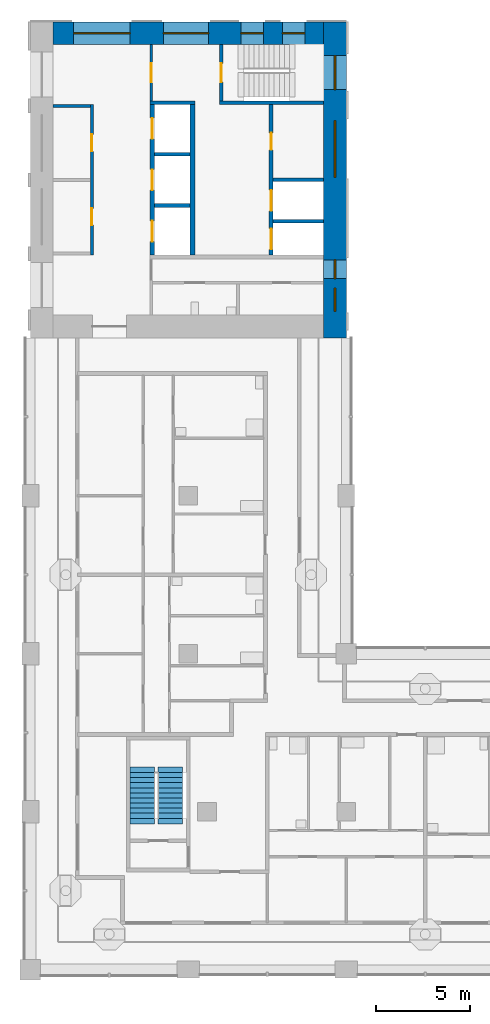
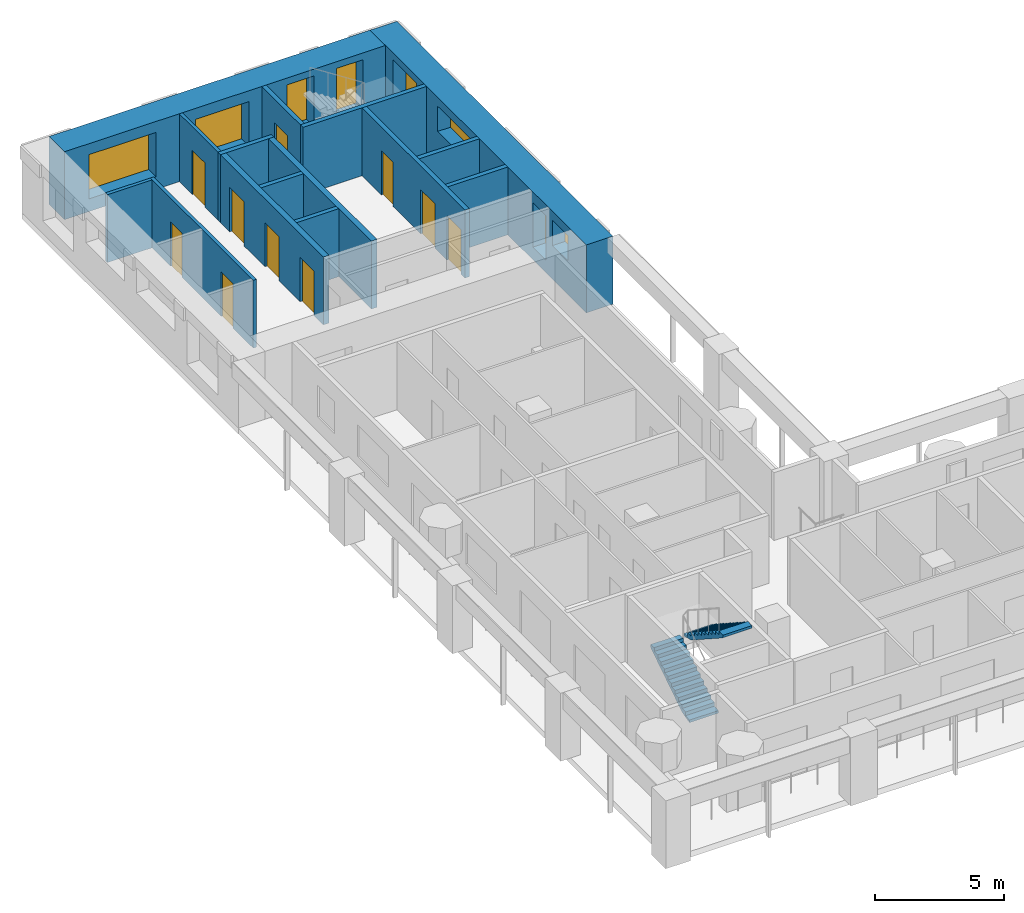
# One storey, part 6 of 13: 15 walls, 10 doors, 8 windows, 2 stair flights, 18 openings, 1 element without a shape of its own.
"""IFC4 building model written with IfcOpenShell, lengths in metres."""

from ifc_helpers import new_model, si_unit, direction, frame, frame_2d, origin, place, context, subcontext, project, spatial, polyline, rectangle, outline, extrude, material, layer, layer_set, type_object, element, fill, aggregate, save


model = new_model("IFC4")

# Units and contexts
model_context = context("Model", 3, precision=1e-05, world=origin(), true_north=direction((0.0, 1.0)))
body_context = subcontext(model_context, "Body", "Model", "MODEL_VIEW")
ifc_project = project(units=[si_unit("LENGTHUNIT", "METRE"), si_unit("AREAUNIT", "SQUARE_METRE"), si_unit("VOLUMEUNIT", "CUBIC_METRE"), si_unit("PLANEANGLEUNIT", "RADIAN"), si_unit("MASSUNIT", "GRAM", prefix="KILO")], contexts=[model_context])

# Site, building, storey
site_placement = place(None, origin())
site = spatial("IfcSite", under=ifc_project, at=site_placement, CompositionType="ELEMENT")
building_placement = place(site_placement, origin())
building = spatial("IfcBuilding", under=site, at=building_placement, Name="Vermilion Gate Residences", CompositionType="ELEMENT")
storey_placement = place(building_placement, frame((0.0, 0.0, 186.199951171875)))
storey = spatial("IfcBuildingStorey", under=building, at=storey_placement, Name="L48", CompositionType="ELEMENT", Elevation=186.199951171875)

# Wall
ifc_material_1 = material(Name="Masonry blockwork", Category="masonry")
ifc_layer_1 = layer(ifc_material_1, 0.14990234375)
ifc_layer_set_1 = layer_set([ifc_layer_1], Name="BLOCKWORK PARTITION 150 EI 120")
wall_type_1 = type_object("IfcWallType", Name="BLOCKWORK PARTITION 150 EI 120", PredefinedType="PARTITIONING", material=ifc_layer_set_1)
wall_1_placement = place(storey_placement, frame((9.60009765625, 54.324951171875, 0.0), z_axis=(0.0, 0.0, 1.0), x_axis=(1.0, 0.0, 0.0)))
element("IfcWall", 1, at=wall_1_placement, inside=storey, type_object=wall_type_1, Name="Core room partition B48-RW-W", PredefinedType="PARTITIONING", context=body_context, shape_type="SweptSolid", body=[
    extrude(rectangle(XDim=2.0, YDim=0.14990234375, at=frame_2d((1.0, 0.0))), origin(), (0.0, 0.0, 1.0), 3.219970703125),
])

# Wall, openings, doors
wall_2_placement = place(storey_placement, frame((11.675048828125, 54.39990234375, 0.0), z_axis=(0.0, 0.0, 1.0), x_axis=(0.0, -1.0, 0.0)))
wall_2 = element("IfcWall", 2, at=wall_2_placement, inside=storey, type_object=wall_type_1, Name="Core room partition B48-LR-F", PredefinedType="PARTITIONING", context=body_context, shape_type="SweptSolid", body=[
    extrude(rectangle(XDim=8.0, YDim=0.14990234375, at=frame_2d((4.0, 0.0))), origin(), (0.0, 0.0, 1.0), 3.219970703125),
])
opening_1_placement = place(wall_2_placement, frame((1.58740234375, 0.0, 0.0)))
opening_1 = element("IfcOpeningElement", 3, at=opening_1_placement, cuts=wall_2, Name="Opening DK48102", PredefinedType="OPENING", context=body_context, shape_type="SweptSolid", body=[
    extrude(rectangle(XDim=0.89990234375, YDim=2.10009765625, at=frame_2d((0.449951171875, 1.050048828125))), frame((0.0, 0.0849609375, 0.0), z_axis=(0.0, -1.0, 0.0), x_axis=(1.0, 0.0, 0.0)), (0.0, 0.0, 1.0), 0.169921875),
])
opening_2_placement = place(wall_2_placement, frame((5.512451171875, 0.0, 0.0)))
opening_2 = element("IfcOpeningElement", 4, at=opening_2_placement, cuts=wall_2, Name="Opening DK48103", PredefinedType="OPENING", context=body_context, shape_type="SweptSolid", body=[
    extrude(rectangle(XDim=0.89990234375, YDim=2.10009765625, at=frame_2d((0.449951171875, 1.050048828125))), frame((0.0, 0.0849609375, 0.0), z_axis=(0.0, -1.0, 0.0), x_axis=(1.0, 0.0, 0.0)), (0.0, 0.0, 1.0), 0.169921875),
])
ifc_material_2 = material(Name="Steel", Category="steel")
door_type_1 = type_object("IfcDoorType", Name="SERVICE ROOM DOOR FD60 900 X 2100", OperationType="SINGLE_SWING_LEFT", PredefinedType="DOOR", material=ifc_material_2)
door_1_placement = place(opening_1_placement, frame((0.89990234375, 0.0, 0.0), z_axis=(0.0, 0.0, 1.0), x_axis=(-1.0, 0.0, 0.0)))
door_1 = element("IfcDoor", 5, at=door_1_placement, inside=storey, type_object=door_type_1, Name="Mail room B48", OperationType="SINGLE_SWING_RIGHT", OverallHeight=2.10009765625, OverallWidth=0.89990234375, PredefinedType="DOOR", context=body_context, shape_type="SweptSolid", body=[
    extrude(rectangle(XDim=0.89990234375, YDim=2.10009765625, at=frame_2d((0.449951171875, 1.050048828125))), frame((0.0, 0.02490234375, 0.0), z_axis=(0.0, -1.0, 0.0), x_axis=(1.0, 0.0, 0.0)), (0.0, 0.0, 1.0), 0.050048828125),
])
fill(opening_1, door_1)
door_2_placement = place(opening_2_placement, frame((0.89990234375, 0.0, 0.0), z_axis=(0.0, 0.0, 1.0), x_axis=(-1.0, 0.0, 0.0)))
door_2 = element("IfcDoor", 6, at=door_2_placement, inside=storey, type_object=door_type_1, Name="Cleaner's store B48", OperationType="SINGLE_SWING_LEFT", OverallHeight=2.10009765625, OverallWidth=0.89990234375, PredefinedType="DOOR", context=body_context, shape_type="SweptSolid", body=[
    extrude(rectangle(XDim=0.89990234375, YDim=2.10009765625, at=frame_2d((0.449951171875, 1.050048828125))), frame((0.0, 0.02490234375, 0.0), z_axis=(0.0, -1.0, 0.0), x_axis=(1.0, 0.0, 0.0)), (0.0, 0.0, 1.0), 0.050048828125),
])
fill(opening_2, door_2)

# Wall, opening, door
wall_3_placement = place(storey_placement, frame((14.824951171875, 57.60009765625, 0.0), z_axis=(0.0, 0.0, 1.0), x_axis=(0.0, -1.0, 0.0)))
wall_3 = element("IfcWall", 7, at=wall_3_placement, inside=storey, type_object=wall_type_1, Name="Core room partition B48-VW-S", PredefinedType="PARTITIONING", context=body_context, shape_type="SweptSolid", body=[
    extrude(rectangle(XDim=3.0, YDim=0.14990234375, at=frame_2d((1.5, 0.0))), origin(), (0.0, 0.0, 1.0), 3.219970703125),
])
opening_3_placement = place(wall_3_placement, frame((1.0, 0.0, 0.0)))
opening_3 = element("IfcOpeningElement", 8, at=opening_3_placement, cuts=wall_3, Name="Opening DK48110", PredefinedType="OPENING", context=body_context, shape_type="SweptSolid", body=[
    extrude(rectangle(XDim=1.0, YDim=2.10009765625, at=frame_2d((0.5, 1.050048828125))), frame((0.0, 0.0849609375, 0.0), z_axis=(0.0, -1.0, 0.0), x_axis=(1.0, 0.0, 0.0)), (0.0, 0.0, 1.0), 0.169921875),
])
ifc_material_3 = material(Name="Steel", Category="steel")
door_type_2 = type_object("IfcDoorType", Name="FIRE DOOR FD60 1000 X 2100", OperationType="SINGLE_SWING_LEFT", PredefinedType="DOOR", material=ifc_material_3)
door_3_placement = place(opening_3_placement, frame((1.0, 0.0, 0.0), z_axis=(0.0, 0.0, 1.0), x_axis=(-1.0, 0.0, 0.0)))
door_3 = element("IfcDoor", 9, at=door_3_placement, inside=storey, type_object=door_type_2, Name="Stair vestibule door B48", OperationType="SINGLE_SWING_RIGHT", OverallHeight=2.10009765625, OverallWidth=1.0, PredefinedType="DOOR", context=body_context, shape_type="SweptSolid", body=[
    extrude(rectangle(XDim=1.0, YDim=2.10009765625, at=frame_2d((0.5, 1.050048828125))), frame((0.0, 0.02490234375, 0.0), z_axis=(0.0, -1.0, 0.0), x_axis=(1.0, 0.0, 0.0)), (0.0, 0.0, 1.0), 0.050048828125),
])
fill(opening_3, door_3)

# Walls
ifc_material_4 = material(Name="Concrete C60", Category="concrete")
ifc_layer_2 = layer(ifc_material_4, 0.199951171875)
ifc_layer_set_2 = layer_set([ifc_layer_2], Name="RC CORE INTERNAL WALL 200 C60")
wall_type_2 = type_object("IfcWallType", Name="RC CORE INTERNAL WALL 200 C60", PredefinedType="SHEAR", material=ifc_layer_set_2)
for number, where, z_axis, x_axis, name in (
    (10, (15.0, 51.7666015625, 0.0), (0.0, 0.0, 1.0), (1.0, 0.0, 0.0), "Core internal wall B48-HR-D1"),
    (11, (15.0, 49.033447265625, 0.0), (0.0, 0.0, 1.0), (1.0, 0.0, 0.0), "Core internal wall B48-HR-D2"),
):
    element("IfcWall", number, at=place(storey_placement, frame(where, z_axis=z_axis, x_axis=x_axis)), inside=storey, type_object=wall_type_2, Name=name, PredefinedType="SHEAR", context=body_context, shape_type="SweptSolid", body=[
        extrude(rectangle(XDim=1.89990234375, YDim=0.199951171875, at=frame_2d((0.949951171875, 0.0))), origin(), (0.0, 0.0, 1.0), 3.219970703125),
    ])
for number, where, z_axis, x_axis, name in (
    (12, (21.300048828125, 50.39990234375, 0.0), (0.0, 0.0, 1.0), (1.0, 0.0, 0.0), "Core internal wall B48-FF-D0"),
    (13, (21.300048828125, 48.199951171875, 0.0), (0.0, 0.0, 1.0), (1.0, 0.0, 0.0), "Core internal wall B48-FF-D1"),
):
    element("IfcWall", number, at=place(storey_placement, frame(where, z_axis=z_axis, x_axis=x_axis)), inside=storey, type_object=wall_type_2, Name=name, PredefinedType="SHEAR", context=body_context, shape_type="SweptSolid", body=[
        extrude(rectangle(XDim=2.699951171875, YDim=0.199951171875, at=frame_2d((1.35009765625, 0.0))), origin(), (0.0, 0.0, 1.0), 3.219970703125),
    ])

# Wall, openings, doors
wall_4_placement = place(storey_placement, frame((21.199951171875, 54.39990234375, 0.0), z_axis=(0.0, 0.0, 1.0), x_axis=(0.0, -1.0, 0.0)))
wall_4 = element("IfcWall", 14, at=wall_4_placement, inside=storey, type_object=wall_type_2, Name="Core internal wall B48-FF-F", PredefinedType="SHEAR", context=body_context, shape_type="SweptSolid", body=[
    extrude(rectangle(XDim=8.0, YDim=0.199951171875, at=frame_2d((4.0, 0.0))), origin(), (0.0, 0.0, 1.0), 3.219970703125),
])
opening_4_placement = place(wall_4_placement, frame((1.5, 0.0, 0.0)))
opening_4 = element("IfcOpeningElement", 15, at=opening_4_placement, cuts=wall_4, Name="Opening DK48107", PredefinedType="OPENING", context=body_context, shape_type="SweptSolid", body=[
    extrude(rectangle(XDim=0.89990234375, YDim=2.10009765625, at=frame_2d((0.449951171875, 1.050048828125))), frame((0.0, 0.10986328125, 0.0), z_axis=(0.0, -1.0, 0.0), x_axis=(1.0, 0.0, 0.0)), (0.0, 0.0, 1.0), 0.219970703125),
])
opening_5_placement = place(wall_4_placement, frame((4.550048828125, 0.0, 0.0)))
opening_5 = element("IfcOpeningElement", 16, at=opening_5_placement, cuts=wall_4, Name="Opening LD", PredefinedType="OPENING", context=body_context, shape_type="SweptSolid", body=[
    extrude(rectangle(XDim=1.10009765625, YDim=2.10009765625, at=frame_2d((0.550048828125, 1.050048828125))), frame((0.0, 0.10986328125, 0.0), z_axis=(0.0, -1.0, 0.0), x_axis=(1.0, 0.0, 0.0)), (0.0, 0.0, 1.0), 0.219970703125),
])
opening_6_placement = place(wall_4_placement, frame((6.60009765625, 0.0, 0.0)))
opening_6 = element("IfcOpeningElement", 17, at=opening_6_placement, cuts=wall_4, Name="Opening LD", PredefinedType="OPENING", context=body_context, shape_type="SweptSolid", body=[
    extrude(rectangle(XDim=1.10009765625, YDim=2.10009765625, at=frame_2d((0.550048828125, 1.050048828125))), frame((0.0, 0.10986328125, 0.0), z_axis=(0.0, -1.0, 0.0), x_axis=(1.0, 0.0, 0.0)), (0.0, 0.0, 1.0), 0.219970703125),
])
ifc_material_5 = material(Name="Stainless steel", Category="steel")
door_type_3 = type_object("IfcDoorType", Name="LIFT LANDING DOOR E60 1100 X 2100", OperationType="DOUBLE_DOOR_SLIDING", PredefinedType="DOOR", material=ifc_material_5)
door_4_placement = place(opening_5_placement, origin())
door_4 = element("IfcDoor", 18, at=door_4_placement, inside=storey, type_object=door_type_3, Name="Lift landing door LFB1", OperationType="DOUBLE_DOOR_SLIDING", OverallHeight=2.10009765625, OverallWidth=1.10009765625, PredefinedType="DOOR", context=body_context, shape_type="SweptSolid", body=[
    extrude(rectangle(XDim=1.10009765625, YDim=2.10009765625, at=frame_2d((0.550048828125, 1.050048828125))), frame((0.0, 0.02490234375, 0.0), z_axis=(0.0, -1.0, 0.0), x_axis=(1.0, 0.0, 0.0)), (0.0, 0.0, 1.0), 0.050048828125),
])
fill(opening_5, door_4)
door_5_placement = place(opening_6_placement, origin())
door_5 = element("IfcDoor", 19, at=door_5_placement, inside=storey, type_object=door_type_3, Name="Lift landing door LCB1", OperationType="DOUBLE_DOOR_SLIDING", OverallHeight=2.10009765625, OverallWidth=1.10009765625, PredefinedType="DOOR", context=body_context, shape_type="SweptSolid", body=[
    extrude(rectangle(XDim=1.10009765625, YDim=2.10009765625, at=frame_2d((0.550048828125, 1.050048828125))), frame((0.0, 0.02490234375, 0.0), z_axis=(0.0, -1.0, 0.0), x_axis=(1.0, 0.0, 0.0)), (0.0, 0.0, 1.0), 0.050048828125),
])
fill(opening_6, door_5)
door_6_placement = place(opening_4_placement, origin())
door_6 = element("IfcDoor", 20, at=door_6_placement, inside=storey, type_object=door_type_1, Name="Housekeeping store B48", OperationType="SINGLE_SWING_LEFT", OverallHeight=2.10009765625, OverallWidth=0.89990234375, PredefinedType="DOOR", context=body_context, shape_type="SweptSolid", body=[
    extrude(rectangle(XDim=0.89990234375, YDim=2.10009765625, at=frame_2d((0.449951171875, 1.050048828125))), frame((0.0, 0.02490234375, 0.0), z_axis=(0.0, -1.0, 0.0), x_axis=(1.0, 0.0, 0.0)), (0.0, 0.0, 1.0), 0.050048828125),
])
fill(opening_4, door_6)

# Walls
wall_5_placement = place(storey_placement, frame((14.75, 54.5, 0.0), z_axis=(0.0, 0.0, 1.0), x_axis=(1.0, 0.0, 0.0)))
element("IfcWall", 21, at=wall_5_placement, inside=storey, type_object=wall_type_2, Name="Core internal wall B48-WDIV1", PredefinedType="SHEAR", context=body_context, shape_type="SweptSolid", body=[
    extrude(rectangle(XDim=2.39990234375, YDim=0.199951171875, at=frame_2d((1.199951171875, 0.0))), origin(), (0.0, 0.0, 1.0), 3.219970703125),
])
wall_6_placement = place(storey_placement, frame((18.449951171875, 54.5, 0.0), z_axis=(0.0, 0.0, 1.0), x_axis=(1.0, 0.0, 0.0)))
element("IfcWall", 22, at=wall_6_placement, inside=storey, type_object=wall_type_2, Name="Core internal wall B48-WDIV2", PredefinedType="SHEAR", context=body_context, shape_type="SweptSolid", body=[
    extrude(rectangle(XDim=5.550048828125, YDim=0.199951171875, at=frame_2d((2.77490234375, 0.0))), origin(), (0.0, 0.0, 1.0), 3.219970703125),
])

# Wall, opening, door
wall_7_placement = place(storey_placement, frame((18.550048828125, 57.60009765625, 0.0), z_axis=(0.0, 0.0, 1.0), x_axis=(0.0, -1.0, 0.0)))
wall_7 = element("IfcWall", 23, at=wall_7_placement, inside=storey, type_object=wall_type_2, Name="Core internal wall B48-STW-S", PredefinedType="SHEAR", context=body_context, shape_type="SweptSolid", body=[
    extrude(rectangle(XDim=3.0, YDim=0.199951171875, at=frame_2d((1.5, 0.0))), origin(), (0.0, 0.0, 1.0), 3.219970703125),
])
opening_7_placement = place(wall_7_placement, frame((1.0, 0.0, 0.0)))
opening_7 = element("IfcOpeningElement", 24, at=opening_7_placement, cuts=wall_7, Name="Opening DK48111", PredefinedType="OPENING", context=body_context, shape_type="SweptSolid", body=[
    extrude(rectangle(XDim=1.0, YDim=2.10009765625, at=frame_2d((0.5, 1.050048828125))), frame((0.0, 0.10986328125, 0.0), z_axis=(0.0, -1.0, 0.0), x_axis=(1.0, 0.0, 0.0)), (0.0, 0.0, 1.0), 0.219970703125),
])
door_7_placement = place(opening_7_placement, origin())
door_7 = element("IfcDoor", 25, at=door_7_placement, inside=storey, type_object=door_type_2, Name="Stair door B48", OperationType="SINGLE_SWING_LEFT", OverallHeight=2.10009765625, OverallWidth=1.0, PredefinedType="DOOR", context=body_context, shape_type="SweptSolid", body=[
    extrude(rectangle(XDim=1.0, YDim=2.10009765625, at=frame_2d((0.5, 1.050048828125))), frame((0.0, 0.02490234375, 0.0), z_axis=(0.0, -1.0, 0.0), x_axis=(1.0, 0.0, 0.0)), (0.0, 0.0, 1.0), 0.050048828125),
])
fill(opening_7, door_7)

# Wall, openings, windows
ifc_material_6 = material(Name="Concrete C60 red-oxide pigmented", Category="concrete")
ifc_layer_3 = layer(ifc_material_6, 1.199951171875)
ifc_layer_set_3 = layer_set([ifc_layer_3], Name="RC CORE WALL 1200 C60 RED OXIDE")
wall_type_3 = type_object("IfcWallType", Name="RC CORE WALL 1200 C60 RED OXIDE", PredefinedType="SHEAR", material=ifc_layer_set_3)
wall_8_placement = place(storey_placement, frame((24.60009765625, 58.800048828125, 0.0), z_axis=(0.0, 0.0, 1.0), x_axis=(0.0, -1.0, 0.0)))
wall_8 = element("IfcWall", 26, at=wall_8_placement, inside=storey, type_object=wall_type_3, Name="Core wall B48-OUT-B1", PredefinedType="SHEAR", context=body_context, shape_type="SweptSolid", body=[
    extrude(rectangle(XDim=16.800048828125, YDim=1.199951171875, at=frame_2d((8.39990234375, 0.0))), origin(), (0.0, 0.0, 1.0), 3.219970703125),
])
opening_8_placement = place(wall_8_placement, frame((1.800048828125, 0.0, 0.5)))
opening_8 = element("IfcOpeningElement", 27, at=opening_8_placement, cuts=wall_8, Name="Opening WKB4805", PredefinedType="OPENING", context=body_context, shape_type="SweptSolid", body=[
    extrude(rectangle(XDim=1.800048828125, YDim=2.39990234375, at=frame_2d((0.89990234375, 1.199951171875))), frame((0.0, 0.60986328125, 0.0), z_axis=(0.0, -1.0, 0.0), x_axis=(1.0, 0.0, 0.0)), (0.0, 0.0, 1.0), 1.219970703125),
])
opening_9_placement = place(wall_8_placement, frame((5.25, 0.0, 1.60009765625)))
opening_9 = element("IfcOpeningElement", 28, at=opening_9_placement, cuts=wall_8, Name="Opening WKB4806", PredefinedType="OPENING", context=body_context, shape_type="SweptSolid", body=[
    extrude(rectangle(XDim=3.0, YDim=1.199951171875, at=frame_2d((1.5, 0.60009765625))), frame((0.0, 0.60986328125, 0.0), z_axis=(0.0, -1.0, 0.0), x_axis=(1.0, 0.0, 0.0)), (0.0, 0.0, 1.0), 1.219970703125),
])
opening_10_placement = place(wall_8_placement, frame((12.64990234375, 0.0, 0.60009765625)))
opening_10 = element("IfcOpeningElement", 29, at=opening_10_placement, cuts=wall_8, Name="Opening WKB4807", PredefinedType="OPENING", context=body_context, shape_type="SweptSolid", body=[
    extrude(rectangle(XDim=1.0, YDim=2.10009765625, at=frame_2d((0.5, 1.050048828125))), frame((0.0, 0.60986328125, 0.0), z_axis=(0.0, -1.0, 0.0), x_axis=(1.0, 0.0, 0.0)), (0.0, 0.0, 1.0), 1.219970703125),
])
opening_11_placement = place(wall_8_placement, frame((14.175048828125, 0.0, 1.60009765625)))
opening_11 = element("IfcOpeningElement", 30, at=opening_11_placement, cuts=wall_8, Name="Opening WKB4808", PredefinedType="OPENING", context=body_context, shape_type="SweptSolid", body=[
    extrude(rectangle(XDim=1.199951171875, YDim=1.199951171875, at=frame_2d((0.60009765625, 0.60009765625))), frame((0.0, 0.60986328125, 0.0), z_axis=(0.0, -1.0, 0.0), x_axis=(1.0, 0.0, 0.0)), (0.0, 0.0, 1.0), 1.219970703125),
])
ifc_material_7 = material(Name="Aluminium and clear glass", Category="aluminium")
window_type_1 = type_object("IfcWindowType", Name="CORE CORRIDOR WINDOW 1000 X 2100", PartitioningType="SINGLE_PANEL", PredefinedType="WINDOW", material=ifc_material_7)
window_1_placement = place(opening_10_placement, origin())
window_1 = element("IfcWindow", 31, at=window_1_placement, inside=storey, type_object=window_type_1, Name="Core corridor window", OverallHeight=2.10009765625, OverallWidth=1.0, PartitioningType="SINGLE_PANEL", PredefinedType="WINDOW", context=body_context, shape_type="SweptSolid", body=[
    extrude(rectangle(XDim=1.0, YDim=2.10009765625, at=frame_2d((0.5, 1.050048828125))), frame((0.0, 0.030029296875, 0.0), z_axis=(0.0, -1.0, 0.0), x_axis=(1.0, 0.0, 0.0)), (0.0, 0.0, 1.0), 0.06005859375),
])
fill(opening_10, window_1)
ifc_material_8 = material(Name="Aluminium frame with louvre blades", Category="aluminium")
window_type_2 = type_object("IfcWindowType", Name="CORE LOUVRE 1200 X 1200", PartitioningType="SINGLE_PANEL", PredefinedType="WINDOW", material=ifc_material_8)
window_2_placement = place(opening_11_placement, origin())
window_2 = element("IfcWindow", 32, at=window_2_placement, inside=storey, type_object=window_type_2, Name="Core louvre", OverallHeight=1.199951171875, OverallWidth=1.199951171875, PartitioningType="SINGLE_PANEL", PredefinedType="WINDOW", context=body_context, shape_type="SweptSolid", body=[
    extrude(rectangle(XDim=1.199951171875, YDim=1.199951171875, at=frame_2d((0.60009765625, 0.60009765625))), frame((0.0, 0.030029296875, 0.0), z_axis=(0.0, -1.0, 0.0), x_axis=(1.0, 0.0, 0.0)), (0.0, 0.0, 1.0), 0.06005859375),
])
fill(opening_11, window_2)
ifc_material_9 = material(Name="Aluminium frame with louvre blades", Category="aluminium")
window_type_3 = type_object("IfcWindowType", Name="CORE LOUVRE 3000 X 1200", PartitioningType="SINGLE_PANEL", PredefinedType="WINDOW", material=ifc_material_9)
window_3_placement = place(opening_9_placement, origin())
window_3 = element("IfcWindow", 33, at=window_3_placement, inside=storey, type_object=window_type_3, Name="Core louvre", OverallHeight=1.199951171875, OverallWidth=3.0, PartitioningType="SINGLE_PANEL", PredefinedType="WINDOW", context=body_context, shape_type="SweptSolid", body=[
    extrude(rectangle(XDim=3.0, YDim=1.199951171875, at=frame_2d((1.5, 0.60009765625))), frame((0.0, 0.030029296875, 0.0), z_axis=(0.0, -1.0, 0.0), x_axis=(1.0, 0.0, 0.0)), (0.0, 0.0, 1.0), 0.06005859375),
])
fill(opening_9, window_3)
ifc_material_10 = material(Name="Aluminium and clear glass", Category="aluminium")
window_type_4 = type_object("IfcWindowType", Name="CORE STAIR WINDOW 1800 X 2400", PartitioningType="SINGLE_PANEL", PredefinedType="WINDOW", material=ifc_material_10)
window_4_placement = place(opening_8_placement, origin())
window_4 = element("IfcWindow", 34, at=window_4_placement, inside=storey, type_object=window_type_4, Name="Core stair window", OverallHeight=2.39990234375, OverallWidth=1.800048828125, PartitioningType="SINGLE_PANEL", PredefinedType="WINDOW", context=body_context, shape_type="SweptSolid", body=[
    extrude(rectangle(XDim=1.800048828125, YDim=2.39990234375, at=frame_2d((0.89990234375, 1.199951171875))), frame((0.0, 0.030029296875, 0.0), z_axis=(0.0, -1.0, 0.0), x_axis=(1.0, 0.0, 0.0)), (0.0, 0.0, 1.0), 0.06005859375),
])
fill(opening_8, window_4)

wall_9_placement = place(storey_placement, frame((9.60009765625, 58.199951171875, 0.0), z_axis=(0.0, 0.0, 1.0), x_axis=(1.0, 0.0, 0.0)))
wall_9 = element("IfcWall", 35, at=wall_9_placement, inside=storey, type_object=wall_type_3, Name="Core wall B48-OUT-FR", PredefinedType="SHEAR", context=body_context, shape_type="SweptSolid", body=[
    extrude(rectangle(XDim=14.39990234375, YDim=1.199951171875, at=frame_2d((7.199951171875, 0.0))), origin(), (0.0, 0.0, 1.0), 3.219970703125),
])
opening_12_placement = place(wall_9_placement, frame((1.10498046875, 0.0, 0.60009765625)))
opening_12 = element("IfcOpeningElement", 36, at=opening_12_placement, cuts=wall_9, Name="Opening WKB4809", PredefinedType="OPENING", context=body_context, shape_type="SweptSolid", body=[
    extrude(rectangle(XDim=3.0, YDim=2.10009765625, at=frame_2d((1.5, 1.050048828125))), frame((0.0, 0.60986328125, 0.0), z_axis=(0.0, -1.0, 0.0), x_axis=(1.0, 0.0, 0.0)), (0.0, 0.0, 1.0), 1.219970703125),
])
opening_13_placement = place(wall_9_placement, frame((5.875, 0.0, 0.60009765625)))
opening_13 = element("IfcOpeningElement", 37, at=opening_13_placement, cuts=wall_9, Name="Opening WKB4810", PredefinedType="OPENING", context=body_context, shape_type="SweptSolid", body=[
    extrude(rectangle(XDim=2.39990234375, YDim=2.10009765625, at=frame_2d((1.199951171875, 1.050048828125))), frame((0.0, 0.60986328125, 0.0), z_axis=(0.0, -1.0, 0.0), x_axis=(1.0, 0.0, 0.0)), (0.0, 0.0, 1.0), 1.219970703125),
])
opening_14_placement = place(wall_9_placement, frame((9.993408203125, 0.0, 0.5)))
opening_14 = element("IfcOpeningElement", 38, at=opening_14_placement, cuts=wall_9, Name="Opening WKB4811", PredefinedType="OPENING", context=body_context, shape_type="SweptSolid", body=[
    extrude(rectangle(XDim=1.199951171875, YDim=2.39990234375, at=frame_2d((0.60009765625, 1.199951171875))), frame((0.0, 0.60986328125, 0.0), z_axis=(0.0, -1.0, 0.0), x_axis=(1.0, 0.0, 0.0)), (0.0, 0.0, 1.0), 1.219970703125),
])
opening_15_placement = place(wall_9_placement, frame((12.19677734375, 0.0, 0.5)))
opening_15 = element("IfcOpeningElement", 39, at=opening_15_placement, cuts=wall_9, Name="Opening WKB4812", PredefinedType="OPENING", context=body_context, shape_type="SweptSolid", body=[
    extrude(rectangle(XDim=1.199951171875, YDim=2.39990234375, at=frame_2d((0.60009765625, 1.199951171875))), frame((0.0, 0.60986328125, 0.0), z_axis=(0.0, -1.0, 0.0), x_axis=(1.0, 0.0, 0.0)), (0.0, 0.0, 1.0), 1.219970703125),
])
ifc_material_11 = material(Name="Aluminium and clear glass", Category="aluminium")
window_type_5 = type_object("IfcWindowType", Name="CORE LOBBY WINDOW 2400 X 2100", PartitioningType="SINGLE_PANEL", PredefinedType="WINDOW", material=ifc_material_11)
window_5_placement = place(opening_13_placement, origin())
window_5 = element("IfcWindow", 40, at=window_5_placement, inside=storey, type_object=window_type_5, Name="Core lobby window", OverallHeight=2.10009765625, OverallWidth=2.39990234375, PartitioningType="SINGLE_PANEL", PredefinedType="WINDOW", context=body_context, shape_type="SweptSolid", body=[
    extrude(rectangle(XDim=2.39990234375, YDim=2.10009765625, at=frame_2d((1.199951171875, 1.050048828125))), frame((0.0, 0.030029296875, 0.0), z_axis=(0.0, -1.0, 0.0), x_axis=(1.0, 0.0, 0.0)), (0.0, 0.0, 1.0), 0.06005859375),
])
fill(opening_13, window_5)
ifc_material_12 = material(Name="Aluminium and clear glass", Category="aluminium")
window_type_6 = type_object("IfcWindowType", Name="CORE LOBBY WINDOW 3000 X 2100", PartitioningType="SINGLE_PANEL", PredefinedType="WINDOW", material=ifc_material_12)
window_6_placement = place(opening_12_placement, origin())
window_6 = element("IfcWindow", 41, at=window_6_placement, inside=storey, type_object=window_type_6, Name="Core lobby window", OverallHeight=2.10009765625, OverallWidth=3.0, PartitioningType="SINGLE_PANEL", PredefinedType="WINDOW", context=body_context, shape_type="SweptSolid", body=[
    extrude(rectangle(XDim=3.0, YDim=2.10009765625, at=frame_2d((1.5, 1.050048828125))), frame((0.0, 0.030029296875, 0.0), z_axis=(0.0, -1.0, 0.0), x_axis=(1.0, 0.0, 0.0)), (0.0, 0.0, 1.0), 0.06005859375),
])
fill(opening_12, window_6)
ifc_material_13 = material(Name="Aluminium and clear glass", Category="aluminium")
window_type_7 = type_object("IfcWindowType", Name="CORE STAIR WINDOW 1200 X 2400", PartitioningType="SINGLE_PANEL", PredefinedType="WINDOW", material=ifc_material_13)
window_7_placement = place(opening_14_placement, origin())
window_7 = element("IfcWindow", 42, at=window_7_placement, inside=storey, type_object=window_type_7, Name="Core stair window", OverallHeight=2.39990234375, OverallWidth=1.199951171875, PartitioningType="SINGLE_PANEL", PredefinedType="WINDOW", context=body_context, shape_type="SweptSolid", body=[
    extrude(rectangle(XDim=1.199951171875, YDim=2.39990234375, at=frame_2d((0.60009765625, 1.199951171875))), frame((0.0, 0.030029296875, 0.0), z_axis=(0.0, -1.0, 0.0), x_axis=(1.0, 0.0, 0.0)), (0.0, 0.0, 1.0), 0.06005859375),
])
fill(opening_14, window_7)
window_8_placement = place(opening_15_placement, origin())
window_8 = element("IfcWindow", 43, at=window_8_placement, inside=storey, type_object=window_type_7, Name="Core stair window", OverallHeight=2.39990234375, OverallWidth=1.199951171875, PartitioningType="SINGLE_PANEL", PredefinedType="WINDOW", context=body_context, shape_type="SweptSolid", body=[
    extrude(rectangle(XDim=1.199951171875, YDim=2.39990234375, at=frame_2d((0.60009765625, 1.199951171875))), frame((0.0, 0.030029296875, 0.0), z_axis=(0.0, -1.0, 0.0), x_axis=(1.0, 0.0, 0.0)), (0.0, 0.0, 1.0), 0.06005859375),
])
fill(opening_15, window_8)

# Wall, openings, doors
ifc_material_14 = material(Name="Concrete C60", Category="concrete")
ifc_layer_4 = layer(ifc_material_14, 0.25)
ifc_layer_set_4 = layer_set([ifc_layer_4], Name="RC LIFT SHAFT WALL 250 C60")
wall_type_4 = type_object("IfcWallType", Name="RC LIFT SHAFT WALL 250 C60", PredefinedType="SHEAR", material=ifc_layer_set_4)
wall_10_placement = place(storey_placement, frame((14.875, 54.39990234375, 0.0), z_axis=(0.0, 0.0, 1.0), x_axis=(0.0, -1.0, 0.0)))
wall_10 = element("IfcWall", 44, at=wall_10_placement, inside=storey, type_object=wall_type_4, Name="Lift shaft wall B48-HR-F", PredefinedType="SHEAR", context=body_context, shape_type="SweptSolid", body=[
    extrude(rectangle(XDim=8.0, YDim=0.25, at=frame_2d((4.0, 0.0))), origin(), (0.0, 0.0, 1.0), 3.219970703125),
])
opening_16_placement = place(wall_10_placement, frame((0.716552734375, 0.0, 0.0)))
opening_16 = element("IfcOpeningElement", 45, at=opening_16_placement, cuts=wall_10, Name="Opening LD", PredefinedType="OPENING", context=body_context, shape_type="SweptSolid", body=[
    extrude(rectangle(XDim=1.10009765625, YDim=2.10009765625, at=frame_2d((0.550048828125, 1.050048828125))), frame((0.0, 0.135009765625, 0.0), z_axis=(0.0, -1.0, 0.0), x_axis=(1.0, 0.0, 0.0)), (0.0, 0.0, 1.0), 0.27001953125),
])
opening_17_placement = place(wall_10_placement, frame((3.449951171875, 0.0, 0.0)))
opening_17 = element("IfcOpeningElement", 46, at=opening_17_placement, cuts=wall_10, Name="Opening LD", PredefinedType="OPENING", context=body_context, shape_type="SweptSolid", body=[
    extrude(rectangle(XDim=1.10009765625, YDim=2.10009765625, at=frame_2d((0.550048828125, 1.050048828125))), frame((0.0, 0.135009765625, 0.0), z_axis=(0.0, -1.0, 0.0), x_axis=(1.0, 0.0, 0.0)), (0.0, 0.0, 1.0), 0.27001953125),
])
opening_18_placement = place(wall_10_placement, frame((6.183349609375, 0.0, 0.0)))
opening_18 = element("IfcOpeningElement", 47, at=opening_18_placement, cuts=wall_10, Name="Opening LD", PredefinedType="OPENING", context=body_context, shape_type="SweptSolid", body=[
    extrude(rectangle(XDim=1.10009765625, YDim=2.10009765625, at=frame_2d((0.550048828125, 1.050048828125))), frame((0.0, 0.135009765625, 0.0), z_axis=(0.0, -1.0, 0.0), x_axis=(1.0, 0.0, 0.0)), (0.0, 0.0, 1.0), 0.27001953125),
])
door_8_placement = place(opening_16_placement, origin())
door_8 = element("IfcDoor", 48, at=door_8_placement, inside=storey, type_object=door_type_3, Name="Lift landing door HRB1", OperationType="DOUBLE_DOOR_SLIDING", OverallHeight=2.10009765625, OverallWidth=1.10009765625, PredefinedType="DOOR", context=body_context, shape_type="SweptSolid", body=[
    extrude(rectangle(XDim=1.10009765625, YDim=2.10009765625, at=frame_2d((0.550048828125, 1.050048828125))), frame((0.0, 0.02490234375, 0.0), z_axis=(0.0, -1.0, 0.0), x_axis=(1.0, 0.0, 0.0)), (0.0, 0.0, 1.0), 0.050048828125),
])
fill(opening_16, door_8)
door_9_placement = place(opening_17_placement, origin())
door_9 = element("IfcDoor", 49, at=door_9_placement, inside=storey, type_object=door_type_3, Name="Lift landing door HRB2", OperationType="DOUBLE_DOOR_SLIDING", OverallHeight=2.10009765625, OverallWidth=1.10009765625, PredefinedType="DOOR", context=body_context, shape_type="SweptSolid", body=[
    extrude(rectangle(XDim=1.10009765625, YDim=2.10009765625, at=frame_2d((0.550048828125, 1.050048828125))), frame((0.0, 0.02490234375, 0.0), z_axis=(0.0, -1.0, 0.0), x_axis=(1.0, 0.0, 0.0)), (0.0, 0.0, 1.0), 0.050048828125),
])
fill(opening_17, door_9)
door_10_placement = place(opening_18_placement, origin())
door_10 = element("IfcDoor", 50, at=door_10_placement, inside=storey, type_object=door_type_3, Name="Lift landing door HRB3", OperationType="DOUBLE_DOOR_SLIDING", OverallHeight=2.10009765625, OverallWidth=1.10009765625, PredefinedType="DOOR", context=body_context, shape_type="SweptSolid", body=[
    extrude(rectangle(XDim=1.10009765625, YDim=2.10009765625, at=frame_2d((0.550048828125, 1.050048828125))), frame((0.0, 0.02490234375, 0.0), z_axis=(0.0, -1.0, 0.0), x_axis=(1.0, 0.0, 0.0)), (0.0, 0.0, 1.0), 0.050048828125),
])
fill(opening_18, door_10)

# Wall
wall_11_placement = place(storey_placement, frame((17.02490234375, 54.39990234375, 0.0), z_axis=(0.0, 0.0, 1.0), x_axis=(0.0, -1.0, 0.0)))
element("IfcWall", 51, at=wall_11_placement, inside=storey, type_object=wall_type_4, Name="Lift shaft wall B48-HR-B", PredefinedType="SHEAR", context=body_context, shape_type="SweptSolid", body=[
    extrude(rectangle(XDim=8.0, YDim=0.25, at=frame_2d((4.0, 0.0))), origin(), (0.0, 0.0, 1.0), 3.219970703125),
])

# Stair, stair flights
ifc_material_15 = material(Name="Concrete C50", Category="concrete")
stair_type = type_object("IfcStairType", Name="SPECIAL ESCAPE STAIR 1300", PredefinedType="HALF_TURN_STAIR", material=ifc_material_15)
stair_placement = place(storey_placement, origin())
stair = element("IfcStair", 52, at=stair_placement, inside=storey, type_object=stair_type, Name="Special escape stair STC1-48", PredefinedType="HALF_TURN_STAIR")
ifc_material_16 = material(Name="Concrete C50", Category="concrete")
stair_flight_type = type_object("IfcStairFlightType", Name="STAIR FLIGHT 1300 RC C50", PredefinedType="STRAIGHT", material=ifc_material_16)
stair_flight_1_placement = place(storey_placement, frame((14.35009765625, 16.449951171875, 0.0), z_axis=(0.0, 0.0, 1.0), x_axis=(0.0, 1.0, 0.0)))
stair_flight_1 = element("IfcStairFlight", 53, at=stair_flight_1_placement, type_object=stair_flight_type, Name="STC1-48 flight 1", NumberOfRisers=10, NumberOfTreads=9, PredefinedType="STRAIGHT", RiserHeight=0.175, TreadLength=0.27, context=body_context, shape_type="SweptSolid", body=[
    extrude(outline(polyline([(-0.300048828125, -0.14990234375), (-0.300048828125, -0.030029296875), (0.0, 0.0), (0.0, 0.175048828125), (0.27001953125, 0.175048828125), (0.27001953125, 0.35009765625), (0.5400390625, 0.35009765625), (0.5400390625, 0.52490234375), (0.81005859375, 0.52490234375), (0.81005859375, 0.699951171875), (1.080078125, 0.699951171875), (1.080078125, 0.875), (1.35009765625, 0.875), (1.35009765625, 1.050048828125), (1.6201171875, 1.050048828125), (1.6201171875, 1.22509765625), (1.889892578125, 1.22509765625), (1.889892578125, 1.39990234375), (2.159912109375, 1.39990234375), (2.159912109375, 1.574951171875), (2.429931640625, 1.574951171875), (2.429931640625, 1.75), (2.72998046875, 1.719970703125), (2.72998046875, 1.60009765625), (2.429931640625, 1.396484375), (0.275634765625, 0.0), (-0.300048828125, -0.14990234375)])), frame((0.0, 0.64990234375, 0.0), z_axis=(0.0, -1.0, 0.0), x_axis=(1.0, 0.0, 0.0)), (0.0, 0.0, 1.0), 1.300048828125),
])
stair_flight_2_placement = place(storey_placement, frame((15.85009765625, 18.8798828125, 1.75), z_axis=(0.0, 0.0, 1.0), x_axis=(0.0, -1.0, 0.0)))
stair_flight_2 = element("IfcStairFlight", 54, at=stair_flight_2_placement, type_object=stair_flight_type, Name="STC1-48 flight 2", NumberOfRisers=10, NumberOfTreads=9, PredefinedType="STRAIGHT", RiserHeight=0.175, TreadLength=0.27, context=body_context, shape_type="SweptSolid", body=[
    extrude(outline(polyline([(-0.300048828125, -0.14990234375), (-0.300048828125, -0.030029296875), (0.0, 0.0), (0.0, 0.175048828125), (0.27001953125, 0.175048828125), (0.27001953125, 0.35009765625), (0.5400390625, 0.35009765625), (0.5400390625, 0.52490234375), (0.81005859375, 0.52490234375), (0.81005859375, 0.699951171875), (1.080078125, 0.699951171875), (1.080078125, 0.875), (1.35009765625, 0.875), (1.35009765625, 1.050048828125), (1.6201171875, 1.050048828125), (1.6201171875, 1.22509765625), (1.889892578125, 1.22509765625), (1.889892578125, 1.39990234375), (2.159912109375, 1.39990234375), (2.159912109375, 1.574951171875), (2.429931640625, 1.574951171875), (2.429931640625, 1.75), (2.72998046875, 1.719970703125), (2.72998046875, 1.60009765625), (2.429931640625, 1.396484375), (0.275634765625, 0.0), (-0.300048828125, -0.14990234375)])), frame((0.0, 0.64990234375, 0.0), z_axis=(0.0, -1.0, 0.0), x_axis=(1.0, 0.0, 0.0)), (0.0, 0.0, 1.0), 1.300048828125),
])
aggregate(stair, [stair_flight_1, stair_flight_2])

save(model, "model.ifc")
